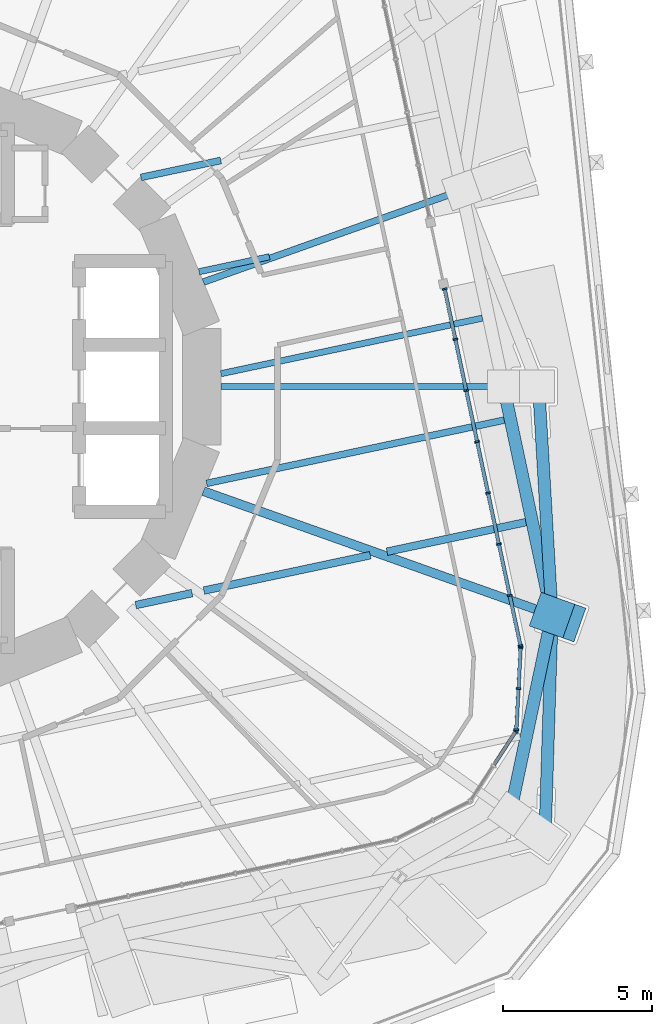
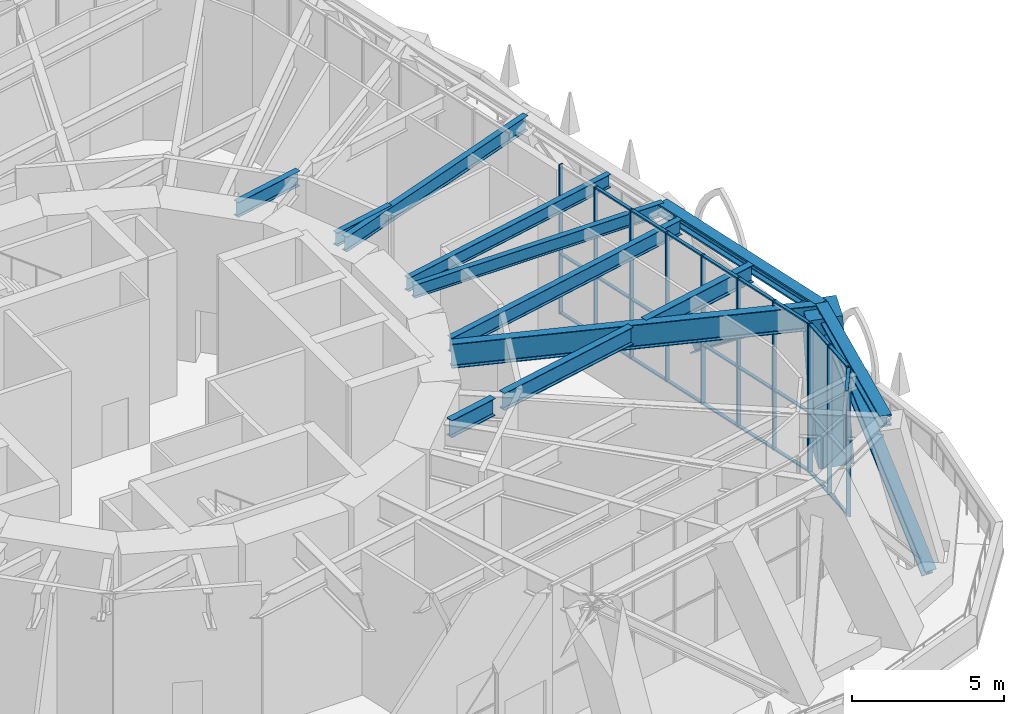
# One storey, part 6 of 23: 44 members, 10 beams, 3 elements without a shape of their own.
"""IFC4 building model written with IfcOpenShell, lengths in metres."""

from ifc_helpers import new_model, si_unit, direction, frame, origin, origin_2d, place, context, subcontext, project, spatial, rectangle, i_section, extrude, material, material_profile, profile_set, type_object, element, aggregate, save


model = new_model("IFC4")

# Units and contexts
model_context = context("Model", 3, precision=1e-05, world=origin(), true_north=direction((0.0, 1.0)))
body_context = subcontext(model_context, "Body", "Model", "MODEL_VIEW")
ifc_project = project(units=[si_unit("LENGTHUNIT", "METRE"), si_unit("AREAUNIT", "SQUARE_METRE"), si_unit("VOLUMEUNIT", "CUBIC_METRE"), si_unit("PLANEANGLEUNIT", "RADIAN"), si_unit("MASSUNIT", "GRAM", prefix="KILO")], contexts=[model_context])

# Site, building, storey
site_placement = place(None, origin())
site = spatial("IfcSite", under=ifc_project, at=site_placement, CompositionType="ELEMENT")
building_placement = place(site_placement, origin())
building = spatial("IfcBuilding", under=site, at=building_placement, Name="Nakasero Lantern House", CompositionType="ELEMENT")
storey_placement = place(building_placement, frame((0.0, 0.0, 95.14990234375)))
storey = spatial("IfcBuildingStorey", under=building, at=storey_placement, Name="L23", CompositionType="ELEMENT", Elevation=95.14990234375)

# Members
ifc_material_1 = material(Name="Steel S355", Category="steel")
ifc_material_profile_1 = material_profile(ifc_material_1, i_section(OverallWidth=0.41845703125, OverallDepth=0.45556640625, WebThickness=0.0419921875, FlangeThickness=0.0673828125, FilletRadius=0.01513671875, at=origin_2d()), Name="UC 356x406x551")
ifc_profile_set_1 = profile_set([ifc_material_profile_1], Name="Steel S355")
member_type_1 = type_object("IfcMemberType", Name="Belt truss chord UC 356x406x551", PredefinedType="CHORD", material=ifc_profile_set_1)
member_1_placement = place(storey_placement, frame((20.15625, -14.33349609375, 5.572265625), z_axis=(0.206833925052, 0.978376066473, 0.0), x_axis=(-0.978376066473, 0.206833925052, 0.0)))
element("IfcMember", 1, at=member_1_placement, inside=storey, type_object=member_type_1, Name="Belt truss top chord T2 B3-C01T", PredefinedType="CHORD", context=body_context, shape_type="SweptSolid", body=[
    extrude(i_section(OverallWidth=0.41845703125, OverallDepth=0.45556640625, WebThickness=0.0419921875, FlangeThickness=0.0673828125, FilletRadius=0.01513671875, at=origin_2d()), origin(), (0.0, 0.0, 1.0), 6.81298828125),
])
member_2_placement = place(storey_placement, frame((21.5654296875, -7.667724609375, 5.572265625), z_axis=(-0.207918725139, 0.978146105516, 0.0), x_axis=(-0.978146105516, -0.207918725139, 0.0)))
element("IfcMember", 2, at=member_2_placement, inside=storey, type_object=member_type_1, Name="Belt truss top chord T2 B3-C02T", PredefinedType="CHORD", context=body_context, shape_type="SweptSolid", body=[
    extrude(i_section(OverallWidth=0.41845703125, OverallDepth=0.45556640625, WebThickness=0.0419921875, FlangeThickness=0.0673828125, FilletRadius=0.01513671875, at=origin_2d()), origin(), (0.0, 0.0, 1.0), 7.839111328125),
])
ifc_material_2 = material(Name="Steel S355", Category="steel")
ifc_material_profile_2 = material_profile(ifc_material_2, i_section(OverallWidth=0.412109375, OverallDepth=0.4365234375, WebThickness=0.035888671875, FlangeThickness=0.05810546875, FilletRadius=0.01513671875, at=origin_2d()), Name="UC 356x406x467")
ifc_profile_set_2 = profile_set([ifc_material_profile_2], Name="Steel S355")
member_type_2 = type_object("IfcMemberType", Name="Belt truss diagonal UC 356x406x467", PredefinedType="BRACE", material=ifc_profile_set_2)
member_3_placement = place(storey_placement, frame((21.327880859375, -15.16650390625, -0.427734375), z_axis=(0.024727487549, 0.78058045227, 0.624566016441), x_axis=(-0.999498618934, 0.031662450146, 0.0)))
element("IfcMember", 3, at=member_3_placement, inside=storey, type_object=member_type_2, Name="Belt truss diagonal T2-01", PredefinedType="BRACE", context=body_context, shape_type="SweptSolid", body=[
    extrude(i_section(OverallWidth=0.412109375, OverallDepth=0.4365234375, WebThickness=0.035888671875, FlangeThickness=0.05810546875, FilletRadius=0.01513671875, at=origin_2d()), origin(), (0.0, 0.0, 1.0), 9.606689453125),
])
member_4_placement = place(storey_placement, frame((21.5654296875, -7.667724609375, 5.572265625), z_axis=(-0.046139881682, 0.78670752659, -0.615599203155), x_axis=(-0.998284551389, -0.058548735749, 0.0)))
element("IfcMember", 4, at=member_4_placement, inside=storey, type_object=member_type_2, Name="Belt truss diagonal T2-02", PredefinedType="BRACE", context=body_context, shape_type="SweptSolid", body=[
    extrude(i_section(OverallWidth=0.412109375, OverallDepth=0.4365234375, WebThickness=0.035888671875, FlangeThickness=0.05810546875, FilletRadius=0.01513671875, at=origin_2d()), origin(), (0.0, 0.0, 1.0), 9.74658203125),
])

# Beams
ifc_material_3 = material(Name="Steel S355", Category="steel")
ifc_material_profile_3 = material_profile(ifc_material_3, i_section(OverallWidth=0.2099609375, OverallDepth=0.53662109375, WebThickness=0.0107421875, FlangeThickness=0.017333984375, FilletRadius=0.0126953125, at=origin_2d()), Name="UB 533x210x101")
ifc_profile_set_3 = profile_set([ifc_material_profile_3], Name="Steel S355")
beam_type_1 = type_object("IfcBeamType", Name="Infill beam UB 533x210x101", PredefinedType="JOIST", material=ifc_profile_set_3)
beam_1_placement = place(storey_placement, frame((10.457763671875, 0.433837890625, 5.53173828125), z_axis=(0.978148337079, 0.207908226555, 0.0), x_axis=(-0.207908226555, 0.978148337079, 0.0)))
element("IfcBeam", 5, at=beam_1_placement, inside=storey, type_object=beam_type_1, Name="Infill beam L24 07.2", PredefinedType="JOIST", context=body_context, shape_type="SweptSolid", body=[
    extrude(i_section(OverallWidth=0.2099609375, OverallDepth=0.53662109375, WebThickness=0.0107421875, FlangeThickness=0.017333984375, FilletRadius=0.0126953125, at=origin_2d()), origin(), (0.0, 0.0, 1.0), 8.971435546875),
])
beam_2_placement = place(storey_placement, frame((9.722412109375, 3.855712890625, 5.53173828125), z_axis=(0.978151908506, 0.20789142331, 0.0), x_axis=(-0.20789142331, 0.978151908506, 0.0)))
element("IfcBeam", 6, at=beam_2_placement, inside=storey, type_object=beam_type_1, Name="Infill beam L24 08.2", PredefinedType="JOIST", context=body_context, shape_type="SweptSolid", body=[
    extrude(i_section(OverallWidth=0.2099609375, OverallDepth=0.53662109375, WebThickness=0.0107421875, FlangeThickness=0.017333984375, FilletRadius=0.0126953125, at=origin_2d()), origin(), (0.0, 0.0, 1.0), 2.413330078125),
])
ifc_material_4 = material(Name="Steel S355", Category="steel")
ifc_material_profile_4 = material_profile(ifc_material_4, i_section(OverallWidth=0.2275390625, OverallDepth=0.6025390625, WebThickness=0.010498046875, FlangeThickness=0.014892578125, FilletRadius=0.0126953125, at=origin_2d()), Name="UB 610x229x101")
ifc_profile_set_4 = profile_set([ifc_material_profile_4], Name="Steel S355")
beam_type_2 = type_object("IfcBeamType", Name="Infill beam UB 610x229x101", PredefinedType="JOIST", material=ifc_profile_set_4)
beam_3_placement = place(storey_placement, frame((9.974365234375, -3.2470703125, 5.498779296875), z_axis=(0.978149612104, 0.207902227842, 0.0), x_axis=(-0.207902227842, 0.978149612104, 0.0)))
element("IfcBeam", 7, at=beam_3_placement, inside=storey, type_object=beam_type_2, Name="Infill beam L24 06.3", PredefinedType="JOIST", context=body_context, shape_type="SweptSolid", body=[
    extrude(i_section(OverallWidth=0.2275390625, OverallDepth=0.6025390625, WebThickness=0.010498046875, FlangeThickness=0.014892578125, FilletRadius=0.0126953125, at=origin_2d()), origin(), (0.0, 0.0, 1.0), 10.20947265625),
])
beam_4_placement = place(storey_placement, frame((7.770751953125, 7.01904296875, 5.498779296875), z_axis=(0.978155680503, 0.20787367486, 0.0), x_axis=(-0.20787367486, 0.978155680503, 0.0)))
element("IfcBeam", 8, at=beam_4_placement, inside=storey, type_object=beam_type_2, Name="Infill beam L24 09.2", PredefinedType="JOIST", context=body_context, shape_type="SweptSolid", body=[
    extrude(i_section(OverallWidth=0.2275390625, OverallDepth=0.6025390625, WebThickness=0.010498046875, FlangeThickness=0.014892578125, FilletRadius=0.0126953125, at=origin_2d()), origin(), (0.0, 0.0, 1.0), 2.739990234375),
])
ifc_material_5 = material(Name="Steel S355", Category="steel")
ifc_material_profile_5 = material_profile(ifc_material_5, i_section(OverallWidth=0.255859375, OverallDepth=0.69287109375, WebThickness=0.014404296875, FlangeThickness=0.023681640625, FilletRadius=0.01513671875, at=origin_2d()), Name="UB 686x254x170")
ifc_profile_set_5 = profile_set([ifc_material_profile_5], Name="Steel S355")
beam_type_3 = type_object("IfcBeamType", Name="Infill beam UB 686x254x170", PredefinedType="JOIST", material=ifc_profile_set_5)
beam_5_placement = place(storey_placement, frame((7.5966796875, -7.330810546875, 5.45361328125), z_axis=(0.978130563731, 0.207991827474, 0.0), x_axis=(-0.207991827474, 0.978130563731, 0.0)))
element("IfcBeam", 9, at=beam_5_placement, inside=storey, type_object=beam_type_3, Name="Infill beam L24 05.3", PredefinedType="JOIST", context=body_context, shape_type="SweptSolid", body=[
    extrude(i_section(OverallWidth=0.255859375, OverallDepth=0.69287109375, WebThickness=0.014404296875, FlangeThickness=0.023681640625, FilletRadius=0.01513671875, at=origin_2d()), origin(), (0.0, 0.0, 1.0), 1.930908203125),
])
beam_6_placement = place(storey_placement, frame((9.884033203125, -6.844482421875, 5.45361328125), z_axis=(0.978153522678, 0.207883828312, 0.0), x_axis=(-0.207883828312, 0.978153522678, 0.0)))
element("IfcBeam", 10, at=beam_6_placement, inside=storey, type_object=beam_type_3, Name="Infill beam L24 05.4", PredefinedType="JOIST", context=body_context, shape_type="SweptSolid", body=[
    extrude(i_section(OverallWidth=0.255859375, OverallDepth=0.69287109375, WebThickness=0.014404296875, FlangeThickness=0.023681640625, FilletRadius=0.01513671875, at=origin_2d()), origin(), (0.0, 0.0, 1.0), 5.70654296875),
])
beam_7_placement = place(storey_placement, frame((16.026123046875, -5.5390625, 5.45361328125), z_axis=(0.97814960752, 0.207902249407, 0.0), x_axis=(-0.207902249407, 0.97814960752, 0.0)))
element("IfcBeam", 11, at=beam_7_placement, inside=storey, type_object=beam_type_3, Name="Infill beam L24 05.5", PredefinedType="JOIST", context=body_context, shape_type="SweptSolid", body=[
    extrude(i_section(OverallWidth=0.255859375, OverallDepth=0.69287109375, WebThickness=0.014404296875, FlangeThickness=0.023681640625, FilletRadius=0.01513671875, at=origin_2d()), origin(), (0.0, 0.0, 1.0), 4.7666015625),
])

# Curtain wall, members
ifc_material_6 = material(Name="Aluminium 6063-T6 and glass", Category="aluminium")
curtain_wall_type = type_object("IfcCurtainWallType", Name="Sky lounge glazing CW-3", PredefinedType="USERDEFINED", material=ifc_material_6)
curtain_wall_1_placement = place(storey_placement, origin())
curtain_wall_1 = element("IfcCurtainWall", 12, at=curtain_wall_1_placement, inside=storey, type_object=curtain_wall_type, Name="Curtain wall CW-3 L23", ObjectType="STICK CURTAIN WALL", PredefinedType="USERDEFINED")
ifc_material_7 = material(Name="Aluminium 6063-T6", Category="aluminium")
ifc_material_profile_6 = material_profile(ifc_material_7, rectangle(XDim=0.06005859375, YDim=0.159912109375, at=origin_2d()), Name="CW-3 mullion 60x160")
ifc_profile_set_6 = profile_set([ifc_material_profile_6], Name="Aluminium 6063-T6")
member_type_3 = type_object("IfcMemberType", Name="Mullion CW-3", PredefinedType="MULLION", material=ifc_profile_set_6)
member_5_placement = place(storey_placement, frame((20.50634765625, -8.696533203125, 0.0), z_axis=(0.0, 0.0, 1.0), x_axis=(-0.207911690818, 0.978147600734, 0.0)))
member_5 = element("IfcMember", 13, at=member_5_placement, type_object=member_type_3, Name="CW-3 mullion 1", PredefinedType="MULLION", context=body_context, shape_type="SweptSolid", body=[
    extrude(rectangle(XDim=0.06005859375, YDim=0.159912109375, at=origin_2d()), origin(), (0.0, 0.0, 1.0), 6.0),
])
member_6_placement = place(storey_placement, frame((20.147216796875, -7.007080078125, 0.0), z_axis=(0.0, 0.0, 1.0), x_axis=(-0.207911690818, 0.978147600734, 0.0)))
member_6 = element("IfcMember", 14, at=member_6_placement, type_object=member_type_3, Name="CW-3 mullion 2", PredefinedType="MULLION", context=body_context, shape_type="SweptSolid", body=[
    extrude(rectangle(XDim=0.06005859375, YDim=0.159912109375, at=origin_2d()), origin(), (0.0, 0.0, 1.0), 6.0),
])
member_7_placement = place(storey_placement, frame((19.78173828125, -5.288330078125, 0.0), z_axis=(0.0, 0.0, 1.0), x_axis=(-0.207911690818, 0.978147600734, 0.0)))
member_7 = element("IfcMember", 15, at=member_7_placement, type_object=member_type_3, Name="CW-3 mullion 3", PredefinedType="MULLION", context=body_context, shape_type="SweptSolid", body=[
    extrude(rectangle(XDim=0.06005859375, YDim=0.159912109375, at=origin_2d()), origin(), (0.0, 0.0, 1.0), 6.0),
])
member_8_placement = place(storey_placement, frame((19.41650390625, -3.569580078125, 0.0), z_axis=(0.0, 0.0, 1.0), x_axis=(-0.207911690818, 0.978147600734, 0.0)))
member_8 = element("IfcMember", 16, at=member_8_placement, type_object=member_type_3, Name="CW-3 mullion 4", PredefinedType="MULLION", context=body_context, shape_type="SweptSolid", body=[
    extrude(rectangle(XDim=0.06005859375, YDim=0.159912109375, at=origin_2d()), origin(), (0.0, 0.0, 1.0), 6.0),
])
member_9_placement = place(storey_placement, frame((19.051025390625, -1.850830078125, 0.0), z_axis=(0.0, 0.0, 1.0), x_axis=(-0.207911690818, 0.978147600734, 0.0)))
member_9 = element("IfcMember", 17, at=member_9_placement, type_object=member_type_3, Name="CW-3 mullion 5", PredefinedType="MULLION", context=body_context, shape_type="SweptSolid", body=[
    extrude(rectangle(XDim=0.06005859375, YDim=0.159912109375, at=origin_2d()), origin(), (0.0, 0.0, 1.0), 6.0),
])
member_10_placement = place(storey_placement, frame((18.685791015625, -0.132080078125, 0.0), z_axis=(0.0, 0.0, 1.0), x_axis=(-0.207911690818, 0.978147600734, 0.0)))
member_10 = element("IfcMember", 18, at=member_10_placement, type_object=member_type_3, Name="CW-3 mullion 6", PredefinedType="MULLION", context=body_context, shape_type="SweptSolid", body=[
    extrude(rectangle(XDim=0.06005859375, YDim=0.159912109375, at=origin_2d()), origin(), (0.0, 0.0, 1.0), 6.0),
])
member_11_placement = place(storey_placement, frame((18.320556640625, 1.586669921875, 0.0), z_axis=(0.0, 0.0, 1.0), x_axis=(-0.207911690818, 0.978147600734, 0.0)))
member_11 = element("IfcMember", 19, at=member_11_placement, type_object=member_type_3, Name="CW-3 mullion 7", PredefinedType="MULLION", context=body_context, shape_type="SweptSolid", body=[
    extrude(rectangle(XDim=0.06005859375, YDim=0.159912109375, at=origin_2d()), origin(), (0.0, 0.0, 1.0), 6.0),
])
member_12_placement = place(storey_placement, frame((17.96142578125, 3.27587890625, 0.0), z_axis=(0.0, 0.0, 1.0), x_axis=(-0.207911690818, 0.978147600734, 0.0)))
member_12 = element("IfcMember", 20, at=member_12_placement, type_object=member_type_3, Name="CW-3 mullion 8", PredefinedType="MULLION", context=body_context, shape_type="SweptSolid", body=[
    extrude(rectangle(XDim=0.06005859375, YDim=0.159912109375, at=origin_2d()), origin(), (0.0, 0.0, 1.0), 6.0),
])

# Curtain wall, member
curtain_wall_2_placement = place(storey_placement, origin())
curtain_wall_2 = element("IfcCurtainWall", 21, at=curtain_wall_2_placement, inside=storey, type_object=curtain_wall_type, Name="Curtain wall CW-3 L23", ObjectType="STICK CURTAIN WALL", PredefinedType="USERDEFINED")
member_13_placement = place(storey_placement, frame((20.348388671875, -11.568359375, 0.0), z_axis=(0.0, 0.0, 1.0), x_axis=(0.544639035015, 0.838670567945, 0.0)))
member_13 = element("IfcMember", 22, at=member_13_placement, type_object=member_type_3, Name="CW-3 mullion 3", PredefinedType="MULLION", context=body_context, shape_type="SweptSolid", body=[
    extrude(rectangle(XDim=0.06005859375, YDim=0.159912109375, at=origin_2d()), origin(), (0.0, 0.0, 1.0), 6.0),
])

# Curtain wall, members
curtain_wall_3_placement = place(storey_placement, origin())
curtain_wall_3 = element("IfcCurtainWall", 23, at=curtain_wall_3_placement, inside=storey, type_object=curtain_wall_type, Name="Curtain wall CW-3 L23", ObjectType="STICK CURTAIN WALL", PredefinedType="USERDEFINED")
member_14_placement = place(storey_placement, frame((20.366455078125, -11.51318359375, 0.0), z_axis=(0.0, 0.0, 1.0), x_axis=(0.052335956243, 0.998629534755, 0.0)))
member_14 = element("IfcMember", 24, at=member_14_placement, type_object=member_type_3, Name="CW-3 mullion 1", PredefinedType="MULLION", context=body_context, shape_type="SweptSolid", body=[
    extrude(rectangle(XDim=0.06005859375, YDim=0.159912109375, at=origin_2d()), origin(), (0.0, 0.0, 1.0), 6.0),
])
member_15_placement = place(storey_placement, frame((20.438720703125, -10.134521484375, 0.0), z_axis=(0.0, 0.0, 1.0), x_axis=(0.052335956243, 0.998629534755, 0.0)))
member_15 = element("IfcMember", 25, at=member_15_placement, type_object=member_type_3, Name="CW-3 mullion 2", PredefinedType="MULLION", context=body_context, shape_type="SweptSolid", body=[
    extrude(rectangle(XDim=0.06005859375, YDim=0.159912109375, at=origin_2d()), origin(), (0.0, 0.0, 1.0), 6.0),
])
member_16_placement = place(storey_placement, frame((20.510986328125, -8.755859375, 0.0), z_axis=(0.0, 0.0, 1.0), x_axis=(0.052335956243, 0.998629534755, 0.0)))
member_16 = element("IfcMember", 26, at=member_16_placement, type_object=member_type_3, Name="CW-3 mullion 3", PredefinedType="MULLION", context=body_context, shape_type="SweptSolid", body=[
    extrude(rectangle(XDim=0.06005859375, YDim=0.159912109375, at=origin_2d()), origin(), (0.0, 0.0, 1.0), 6.0),
])

# Beams
ifc_material_8 = material(Name="Steel S355", Category="steel")
ifc_material_profile_7 = material_profile(ifc_material_8, i_section(OverallWidth=0.300048828125, OverallDepth=0.97998046875, WebThickness=0.0166015625, FlangeThickness=0.02587890625, FilletRadius=0.030029296875, at=origin_2d()), Name="UB 1016x305x249")
ifc_profile_set_7 = profile_set([ifc_material_profile_7], Name="Steel S355")
beam_type_4 = type_object("IfcBeamType", Name="Primary beam UB 1016x305x249, span 12 to 15 m", PredefinedType="BEAM", material=ifc_profile_set_7)
beam_8_placement = place(storey_placement, frame((21.5654296875, -7.667724609375, 5.31005859375), z_axis=(-0.942213862739, 0.335011995103, 0.0), x_axis=(-0.335011995103, -0.942213862739, 0.0)))
element("IfcBeam", 27, at=beam_8_placement, inside=storey, type_object=beam_type_4, Name="Primary beam L24 B3-C02T", PredefinedType="BEAM", context=body_context, shape_type="SweptSolid", body=[
    extrude(i_section(OverallWidth=0.300048828125, OverallDepth=0.97998046875, WebThickness=0.0166015625, FlangeThickness=0.02587890625, FilletRadius=0.030029296875, at=origin_2d()), origin(), (0.0, 0.0, 1.0), 12.41650390625),
])
ifc_material_9 = material(Name="Steel S355", Category="steel")
ifc_material_profile_8 = material_profile(ifc_material_9, i_section(OverallWidth=0.208740234375, OverallDepth=0.5283203125, WebThickness=0.009521484375, FlangeThickness=0.01318359375, FilletRadius=0.0126953125, at=origin_2d()), Name="UB 533x210x82")
ifc_profile_set_8 = profile_set([ifc_material_profile_8], Name="Steel S355")
beam_type_5 = type_object("IfcBeamType", Name="Primary beam UB 533x210x82, span 9 to 12 m", PredefinedType="BEAM", material=ifc_profile_set_8)
beam_9_placement = place(storey_placement, frame((19.935546875, 0.0, 5.535888671875), z_axis=(-1.0, 0.0, 0.0), x_axis=(0.0, -1.0, 0.0)))
element("IfcBeam", 28, at=beam_9_placement, inside=storey, type_object=beam_type_5, Name="Primary beam L24 B3-C03T", PredefinedType="BEAM", context=body_context, shape_type="SweptSolid", body=[
    extrude(i_section(OverallWidth=0.208740234375, OverallDepth=0.5283203125, WebThickness=0.009521484375, FlangeThickness=0.01318359375, FilletRadius=0.0126953125, at=origin_2d()), origin(), (0.0, 0.0, 1.0), 9.477783203125),
])
ifc_material_10 = material(Name="Steel S355", Category="steel")
ifc_material_profile_9 = material_profile(ifc_material_10, i_section(OverallWidth=0.2275390625, OverallDepth=0.6025390625, WebThickness=0.010498046875, FlangeThickness=0.014892578125, FilletRadius=0.0126953125, at=origin_2d()), Name="UB 610x229x101")
ifc_profile_set_9 = profile_set([ifc_material_profile_9], Name="Steel S355")
beam_type_6 = type_object("IfcBeamType", Name="Primary beam UB 610x229x101, span 9 to 12 m", PredefinedType="BEAM", material=ifc_profile_set_9)
beam_10_placement = place(storey_placement, frame((18.534912109375, 6.590087890625, 5.498779296875), z_axis=(-0.942217668513, -0.335001291255, 0.0), x_axis=(0.335001291255, -0.942217668513, 0.0)))
element("IfcBeam", 29, at=beam_10_placement, inside=storey, type_object=beam_type_6, Name="Primary beam L24 B3-C04T", PredefinedType="BEAM", context=body_context, shape_type="SweptSolid", body=[
    extrude(i_section(OverallWidth=0.2275390625, OverallDepth=0.6025390625, WebThickness=0.010498046875, FlangeThickness=0.014892578125, FilletRadius=0.0126953125, at=origin_2d()), origin(), (0.0, 0.0, 1.0), 9.199951171875),
])

# Member
ifc_material_11 = material(Name="Concrete C50/60", Category="concrete")
ifc_material_profile_10 = material_profile(ifc_material_11, rectangle(XDim=1.199951171875, YDim=1.199951171875, at=origin_2d()), Name="RC 1200x1200")
ifc_profile_set_10 = profile_set([ifc_material_profile_10], Name="Concrete C50/60")
member_type_4 = type_object("IfcMemberType", Name="Raking column RC 1200x1200 C50/60", PredefinedType="STRUT", material=ifc_profile_set_10)
member_17_placement = place(storey_placement, frame((21.935302734375, -7.79931640625, -0.427734375), z_axis=(-0.061513972257, 0.021885169008, 0.997866258872), x_axis=(-0.335193689964, -0.942149239881, 0.0)))
element("IfcMember", 30, at=member_17_placement, inside=storey, type_object=member_type_4, Name="Raking column B3-C02T L23", PredefinedType="STRUT", context=body_context, shape_type="SweptSolid", body=[
    extrude(rectangle(XDim=1.199951171875, YDim=1.199951171875, at=origin_2d()), origin(), (0.0, 0.0, 1.0), 6.012939453125),
])

ifc_material_12 = material(Name="Aluminium 6063-T6", Category="aluminium")
ifc_material_profile_11 = material_profile(ifc_material_12, rectangle(XDim=0.06005859375, YDim=0.1201171875, at=origin_2d()), Name="CW-3 transom 60x120")
ifc_profile_set_11 = profile_set([ifc_material_profile_11], Name="Aluminium 6063-T6")
member_type_5 = type_object("IfcMemberType", Name="Transom CW-3", PredefinedType="USERDEFINED", material=ifc_profile_set_11)
member_18_placement = place(storey_placement, frame((20.5, -8.667236328125, 0.030029296875), z_axis=(-0.207958591886, 0.978137630429, 0.0), x_axis=(0.0, 0.0, 1.0)))
member_18 = element("IfcMember", 31, at=member_18_placement, type_object=member_type_5, Name="CW-3 transom 1.1", ObjectType="TRANSOM", PredefinedType="USERDEFINED", context=body_context, shape_type="SweptSolid", body=[
    extrude(rectangle(XDim=0.06005859375, YDim=0.1201171875, at=origin_2d()), origin(), (0.0, 0.0, 1.0), 1.6669921875),
])

member_19_placement = place(storey_placement, frame((20.5, -8.667236328125, 2.400146484375), z_axis=(-0.207958591886, 0.978137630429, 0.0), x_axis=(0.0, 0.0, 1.0)))
member_19 = element("IfcMember", 32, at=member_19_placement, type_object=member_type_5, Name="CW-3 transom 1.2", ObjectType="TRANSOM", PredefinedType="USERDEFINED", context=body_context, shape_type="SweptSolid", body=[
    extrude(rectangle(XDim=0.06005859375, YDim=0.1201171875, at=origin_2d()), origin(), (0.0, 0.0, 1.0), 1.6669921875),
])

member_20_placement = place(storey_placement, frame((20.5, -8.667236328125, 5.97021484375), z_axis=(-0.207958591886, 0.978137630429, 0.0), x_axis=(0.0, 0.0, 1.0)))
member_20 = element("IfcMember", 33, at=member_20_placement, type_object=member_type_5, Name="CW-3 transom 1.3", ObjectType="TRANSOM", PredefinedType="USERDEFINED", context=body_context, shape_type="SweptSolid", body=[
    extrude(rectangle(XDim=0.06005859375, YDim=0.1201171875, at=origin_2d()), origin(), (0.0, 0.0, 1.0), 1.6669921875),
])

member_21_placement = place(storey_placement, frame((20.140869140625, -6.977783203125, 0.030029296875), z_axis=(-0.207888006632, 0.978152634663, 0.0), x_axis=(0.0, 0.0, 1.0)))
member_21 = element("IfcMember", 34, at=member_21_placement, type_object=member_type_5, Name="CW-3 transom 2.1", ObjectType="TRANSOM", PredefinedType="USERDEFINED", context=body_context, shape_type="SweptSolid", body=[
    extrude(rectangle(XDim=0.06005859375, YDim=0.1201171875, at=origin_2d()), origin(), (0.0, 0.0, 1.0), 1.697021484375),
])

member_22_placement = place(storey_placement, frame((20.140869140625, -6.977783203125, 2.400146484375), z_axis=(-0.207888006632, 0.978152634663, 0.0), x_axis=(0.0, 0.0, 1.0)))
member_22 = element("IfcMember", 35, at=member_22_placement, type_object=member_type_5, Name="CW-3 transom 2.2", ObjectType="TRANSOM", PredefinedType="USERDEFINED", context=body_context, shape_type="SweptSolid", body=[
    extrude(rectangle(XDim=0.06005859375, YDim=0.1201171875, at=origin_2d()), origin(), (0.0, 0.0, 1.0), 1.697021484375),
])

member_23_placement = place(storey_placement, frame((20.140869140625, -6.977783203125, 5.97021484375), z_axis=(-0.207888006632, 0.978152634663, 0.0), x_axis=(0.0, 0.0, 1.0)))
member_23 = element("IfcMember", 36, at=member_23_placement, type_object=member_type_5, Name="CW-3 transom 2.3", ObjectType="TRANSOM", PredefinedType="USERDEFINED", context=body_context, shape_type="SweptSolid", body=[
    extrude(rectangle(XDim=0.06005859375, YDim=0.1201171875, at=origin_2d()), origin(), (0.0, 0.0, 1.0), 1.697021484375),
])

member_24_placement = place(storey_placement, frame((19.775634765625, -5.259033203125, 0.030029296875), z_axis=(-0.208025650021, 0.978123371019, 0.0), x_axis=(0.0, 0.0, 1.0)))
member_24 = element("IfcMember", 37, at=member_24_placement, type_object=member_type_5, Name="CW-3 transom 3.1", ObjectType="TRANSOM", PredefinedType="USERDEFINED", context=body_context, shape_type="SweptSolid", body=[
    extrude(rectangle(XDim=0.06005859375, YDim=0.1201171875, at=origin_2d()), origin(), (0.0, 0.0, 1.0), 1.697021484375),
])

member_25_placement = place(storey_placement, frame((19.775634765625, -5.259033203125, 2.400146484375), z_axis=(-0.208025650021, 0.978123371019, 0.0), x_axis=(0.0, 0.0, 1.0)))
member_25 = element("IfcMember", 38, at=member_25_placement, type_object=member_type_5, Name="CW-3 transom 3.2", ObjectType="TRANSOM", PredefinedType="USERDEFINED", context=body_context, shape_type="SweptSolid", body=[
    extrude(rectangle(XDim=0.06005859375, YDim=0.1201171875, at=origin_2d()), origin(), (0.0, 0.0, 1.0), 1.697021484375),
])

member_26_placement = place(storey_placement, frame((19.775634765625, -5.259033203125, 5.97021484375), z_axis=(-0.208025650021, 0.978123371019, 0.0), x_axis=(0.0, 0.0, 1.0)))
member_26 = element("IfcMember", 39, at=member_26_placement, type_object=member_type_5, Name="CW-3 transom 3.3", ObjectType="TRANSOM", PredefinedType="USERDEFINED", context=body_context, shape_type="SweptSolid", body=[
    extrude(rectangle(XDim=0.06005859375, YDim=0.1201171875, at=origin_2d()), origin(), (0.0, 0.0, 1.0), 1.697021484375),
])

member_27_placement = place(storey_placement, frame((19.41015625, -3.540283203125, 0.030029296875), z_axis=(-0.207888006632, 0.978152634663, 0.0), x_axis=(0.0, 0.0, 1.0)))
member_27 = element("IfcMember", 40, at=member_27_placement, type_object=member_type_5, Name="CW-3 transom 4.1", ObjectType="TRANSOM", PredefinedType="USERDEFINED", context=body_context, shape_type="SweptSolid", body=[
    extrude(rectangle(XDim=0.06005859375, YDim=0.1201171875, at=origin_2d()), origin(), (0.0, 0.0, 1.0), 1.697021484375),
])

member_28_placement = place(storey_placement, frame((19.41015625, -3.540283203125, 2.400146484375), z_axis=(-0.207888006632, 0.978152634663, 0.0), x_axis=(0.0, 0.0, 1.0)))
member_28 = element("IfcMember", 41, at=member_28_placement, type_object=member_type_5, Name="CW-3 transom 4.2", ObjectType="TRANSOM", PredefinedType="USERDEFINED", context=body_context, shape_type="SweptSolid", body=[
    extrude(rectangle(XDim=0.06005859375, YDim=0.1201171875, at=origin_2d()), origin(), (0.0, 0.0, 1.0), 1.697021484375),
])

member_29_placement = place(storey_placement, frame((19.41015625, -3.540283203125, 5.97021484375), z_axis=(-0.207888006632, 0.978152634663, 0.0), x_axis=(0.0, 0.0, 1.0)))
member_29 = element("IfcMember", 42, at=member_29_placement, type_object=member_type_5, Name="CW-3 transom 4.3", ObjectType="TRANSOM", PredefinedType="USERDEFINED", context=body_context, shape_type="SweptSolid", body=[
    extrude(rectangle(XDim=0.06005859375, YDim=0.1201171875, at=origin_2d()), origin(), (0.0, 0.0, 1.0), 1.697021484375),
])

member_30_placement = place(storey_placement, frame((19.044921875, -1.821533203125, 0.030029296875), z_axis=(-0.207888006632, 0.978152634663, 0.0), x_axis=(0.0, 0.0, 1.0)))
member_30 = element("IfcMember", 43, at=member_30_placement, type_object=member_type_5, Name="CW-3 transom 5.1", ObjectType="TRANSOM", PredefinedType="USERDEFINED", context=body_context, shape_type="SweptSolid", body=[
    extrude(rectangle(XDim=0.06005859375, YDim=0.1201171875, at=origin_2d()), origin(), (0.0, 0.0, 1.0), 1.697021484375),
])

member_31_placement = place(storey_placement, frame((19.044921875, -1.821533203125, 2.400146484375), z_axis=(-0.207888006632, 0.978152634663, 0.0), x_axis=(0.0, 0.0, 1.0)))
member_31 = element("IfcMember", 44, at=member_31_placement, type_object=member_type_5, Name="CW-3 transom 5.2", ObjectType="TRANSOM", PredefinedType="USERDEFINED", context=body_context, shape_type="SweptSolid", body=[
    extrude(rectangle(XDim=0.06005859375, YDim=0.1201171875, at=origin_2d()), origin(), (0.0, 0.0, 1.0), 1.697021484375),
])

member_32_placement = place(storey_placement, frame((19.044921875, -1.821533203125, 5.97021484375), z_axis=(-0.207888006632, 0.978152634663, 0.0), x_axis=(0.0, 0.0, 1.0)))
member_32 = element("IfcMember", 45, at=member_32_placement, type_object=member_type_5, Name="CW-3 transom 5.3", ObjectType="TRANSOM", PredefinedType="USERDEFINED", context=body_context, shape_type="SweptSolid", body=[
    extrude(rectangle(XDim=0.06005859375, YDim=0.1201171875, at=origin_2d()), origin(), (0.0, 0.0, 1.0), 1.697021484375),
])

member_33_placement = place(storey_placement, frame((18.6796875, -0.102783203125, 0.030029296875), z_axis=(-0.208025650021, 0.978123371019, 0.0), x_axis=(0.0, 0.0, 1.0)))
member_33 = element("IfcMember", 46, at=member_33_placement, type_object=member_type_5, Name="CW-3 transom 6.1", ObjectType="TRANSOM", PredefinedType="USERDEFINED", context=body_context, shape_type="SweptSolid", body=[
    extrude(rectangle(XDim=0.06005859375, YDim=0.1201171875, at=origin_2d()), origin(), (0.0, 0.0, 1.0), 1.697021484375),
])

member_34_placement = place(storey_placement, frame((18.6796875, -0.102783203125, 2.400146484375), z_axis=(-0.208025650021, 0.978123371019, 0.0), x_axis=(0.0, 0.0, 1.0)))
member_34 = element("IfcMember", 47, at=member_34_placement, type_object=member_type_5, Name="CW-3 transom 6.2", ObjectType="TRANSOM", PredefinedType="USERDEFINED", context=body_context, shape_type="SweptSolid", body=[
    extrude(rectangle(XDim=0.06005859375, YDim=0.1201171875, at=origin_2d()), origin(), (0.0, 0.0, 1.0), 1.697021484375),
])

member_35_placement = place(storey_placement, frame((18.6796875, -0.102783203125, 5.97021484375), z_axis=(-0.208025650021, 0.978123371019, 0.0), x_axis=(0.0, 0.0, 1.0)))
member_35 = element("IfcMember", 48, at=member_35_placement, type_object=member_type_5, Name="CW-3 transom 6.3", ObjectType="TRANSOM", PredefinedType="USERDEFINED", context=body_context, shape_type="SweptSolid", body=[
    extrude(rectangle(XDim=0.06005859375, YDim=0.1201171875, at=origin_2d()), origin(), (0.0, 0.0, 1.0), 1.697021484375),
])

member_36_placement = place(storey_placement, frame((18.314208984375, 1.615966796875, 0.030029296875), z_axis=(-0.207958591886, 0.978137630429, 0.0), x_axis=(0.0, 0.0, 1.0)))
member_36 = element("IfcMember", 49, at=member_36_placement, type_object=member_type_5, Name="CW-3 transom 7.1", ObjectType="TRANSOM", PredefinedType="USERDEFINED", context=body_context, shape_type="SweptSolid", body=[
    extrude(rectangle(XDim=0.06005859375, YDim=0.1201171875, at=origin_2d()), origin(), (0.0, 0.0, 1.0), 1.6669921875),
])

member_37_placement = place(storey_placement, frame((18.314208984375, 1.615966796875, 2.400146484375), z_axis=(-0.207958591886, 0.978137630429, 0.0), x_axis=(0.0, 0.0, 1.0)))
member_37 = element("IfcMember", 50, at=member_37_placement, type_object=member_type_5, Name="CW-3 transom 7.2", ObjectType="TRANSOM", PredefinedType="USERDEFINED", context=body_context, shape_type="SweptSolid", body=[
    extrude(rectangle(XDim=0.06005859375, YDim=0.1201171875, at=origin_2d()), origin(), (0.0, 0.0, 1.0), 1.6669921875),
])

aggregate(curtain_wall_1, [member_5, member_6, member_7, member_8, member_9, member_10, member_11, member_12, member_18, member_19, member_20, member_21, member_22, member_23, member_24, member_25, member_26, member_27, member_28, member_29, member_30, member_31, member_32, member_33, member_34, member_35, member_36, member_37])

member_38_placement = place(storey_placement, frame((19.61279296875, -12.700927734375, 5.97021484375), z_axis=(0.544676377406, 0.838646316331, 0.0), x_axis=(0.0, 0.0, 1.0)))
member_38 = element("IfcMember", 51, at=member_38_placement, type_object=member_type_5, Name="CW-3 transom 2.3", ObjectType="TRANSOM", PredefinedType="USERDEFINED", context=body_context, shape_type="SweptSolid", body=[
    extrude(rectangle(XDim=0.06005859375, YDim=0.1201171875, at=origin_2d()), origin(), (0.0, 0.0, 1.0), 1.320556640625),
])

aggregate(curtain_wall_2, [member_13, member_38])

member_39_placement = place(storey_placement, frame((20.367919921875, -11.483154296875, 0.030029296875), z_axis=(0.052325922447, 0.998630060553, 0.0), x_axis=(0.0, 0.0, 1.0)))
member_39 = element("IfcMember", 52, at=member_39_placement, type_object=member_type_5, Name="CW-3 transom 1.1", ObjectType="TRANSOM", PredefinedType="USERDEFINED", context=body_context, shape_type="SweptSolid", body=[
    extrude(rectangle(XDim=0.06005859375, YDim=0.1201171875, at=origin_2d()), origin(), (0.0, 0.0, 1.0), 1.3203125),
])

member_40_placement = place(storey_placement, frame((20.367919921875, -11.483154296875, 2.400146484375), z_axis=(0.052325922447, 0.998630060553, 0.0), x_axis=(0.0, 0.0, 1.0)))
member_40 = element("IfcMember", 53, at=member_40_placement, type_object=member_type_5, Name="CW-3 transom 1.2", ObjectType="TRANSOM", PredefinedType="USERDEFINED", context=body_context, shape_type="SweptSolid", body=[
    extrude(rectangle(XDim=0.06005859375, YDim=0.1201171875, at=origin_2d()), origin(), (0.0, 0.0, 1.0), 1.3203125),
])

member_41_placement = place(storey_placement, frame((20.367919921875, -11.483154296875, 5.97021484375), z_axis=(0.052325922447, 0.998630060553, 0.0), x_axis=(0.0, 0.0, 1.0)))
member_41 = element("IfcMember", 54, at=member_41_placement, type_object=member_type_5, Name="CW-3 transom 1.3", ObjectType="TRANSOM", PredefinedType="USERDEFINED", context=body_context, shape_type="SweptSolid", body=[
    extrude(rectangle(XDim=0.06005859375, YDim=0.1201171875, at=origin_2d()), origin(), (0.0, 0.0, 1.0), 1.3203125),
])

member_42_placement = place(storey_placement, frame((20.440185546875, -10.1044921875, 0.030029296875), z_axis=(0.052325922447, 0.998630060553, 0.0), x_axis=(0.0, 0.0, 1.0)))
member_42 = element("IfcMember", 55, at=member_42_placement, type_object=member_type_5, Name="CW-3 transom 2.1", ObjectType="TRANSOM", PredefinedType="USERDEFINED", context=body_context, shape_type="SweptSolid", body=[
    extrude(rectangle(XDim=0.06005859375, YDim=0.1201171875, at=origin_2d()), origin(), (0.0, 0.0, 1.0), 1.3203125),
])

member_43_placement = place(storey_placement, frame((20.440185546875, -10.1044921875, 2.400146484375), z_axis=(0.052325922447, 0.998630060553, 0.0), x_axis=(0.0, 0.0, 1.0)))
member_43 = element("IfcMember", 56, at=member_43_placement, type_object=member_type_5, Name="CW-3 transom 2.2", ObjectType="TRANSOM", PredefinedType="USERDEFINED", context=body_context, shape_type="SweptSolid", body=[
    extrude(rectangle(XDim=0.06005859375, YDim=0.1201171875, at=origin_2d()), origin(), (0.0, 0.0, 1.0), 1.3203125),
])

member_44_placement = place(storey_placement, frame((20.440185546875, -10.1044921875, 5.97021484375), z_axis=(0.052325922447, 0.998630060553, 0.0), x_axis=(0.0, 0.0, 1.0)))
member_44 = element("IfcMember", 57, at=member_44_placement, type_object=member_type_5, Name="CW-3 transom 2.3", ObjectType="TRANSOM", PredefinedType="USERDEFINED", context=body_context, shape_type="SweptSolid", body=[
    extrude(rectangle(XDim=0.06005859375, YDim=0.1201171875, at=origin_2d()), origin(), (0.0, 0.0, 1.0), 1.3203125),
])

aggregate(curtain_wall_3, [member_14, member_15, member_16, member_39, member_40, member_41, member_42, member_43, member_44])

save(model, "model.ifc")
